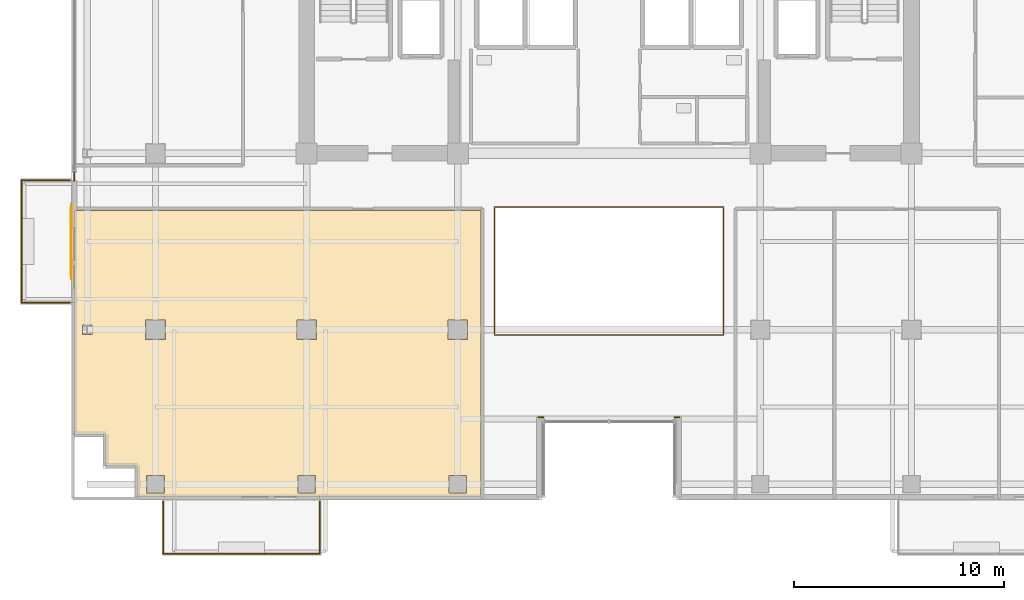
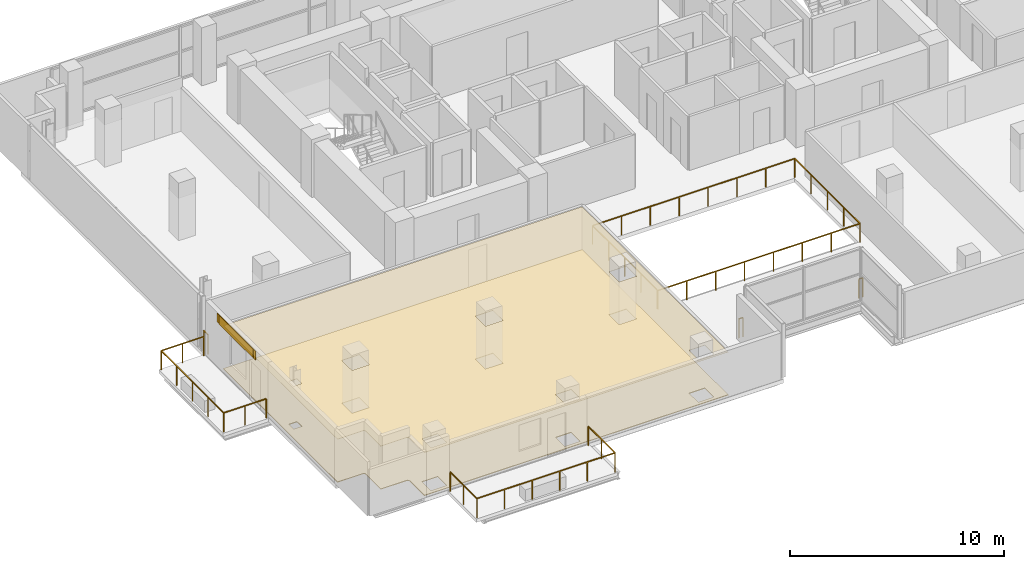
# One storey, part 19 of 23: 6 railings, 3 coverings, 1 shading device.
"""IFC4 building model written with IfcOpenShell, lengths in metres."""

from ifc_helpers import new_model, si_unit, direction, frame, origin, origin_2d, place, context, subcontext, project, spatial, polyline, rectangle, outline, extrude, source, transform, mapped, material, layer, layer_set, type_object, element, save


model = new_model("IFC4")

# Units and contexts
model_context = context("Model", 3, precision=1e-05, world=origin(), true_north=direction((0.0, 1.0)))
body_context = subcontext(model_context, "Body", "Model", "MODEL_VIEW")
ifc_project = project(units=[si_unit("LENGTHUNIT", "METRE"), si_unit("AREAUNIT", "SQUARE_METRE"), si_unit("VOLUMEUNIT", "CUBIC_METRE"), si_unit("PLANEANGLEUNIT", "RADIAN"), si_unit("MASSUNIT", "GRAM", prefix="KILO")], contexts=[model_context])

# Site, building, storey
site_placement = place(None, origin())
site = spatial("IfcSite", under=ifc_project, at=site_placement, CompositionType="ELEMENT")
building_placement = place(site_placement, origin())
building = spatial("IfcBuilding", under=site, at=building_placement, Name="Zarnakvel Exchange Tower", CompositionType="ELEMENT")
storey_placement = place(building_placement, frame((0.0, 0.0, 129.699951171875)))
storey = spatial("IfcBuildingStorey", under=building, at=storey_placement, Name="L36", CompositionType="ELEMENT", Elevation=129.699951171875)

# Coverings
ifc_material_1 = material(Name="Perforated Bronze Acoustic Metal Ceiling", Category="aluminium")
ifc_layer_1 = layer(ifc_material_1, 0.02001953125)
ifc_layer_set_1 = layer_set([ifc_layer_1], Name="Perforated Bronze Acoustic Metal Ceiling")
covering_type_1 = type_object("IfcCoveringType", Name="CLG-01", PredefinedType="CEILING", material=ifc_layer_set_1)
covering_1_placement = place(storey_placement, frame((0.0, 0.0, 2.455078125)))
element("IfcCovering", 1, at=covering_1_placement, inside=storey, type_object=covering_type_1, Name="L36 Suspended Acoustic Ceiling (Equities Trading Floor)", PredefinedType="CEILING", context=body_context, shape_type="SweptSolid", body=[
    extrude(outline(polyline([(-6.10009765625, -3.909912109375), (-6.10009765625, -17.550048828125), (-22.47998046875, -17.550048828125), (-22.47998046875, -16.199951171875), (-22.48046875, -16.188232421875), (-22.482421875, -16.176513671875), (-22.485107421875, -16.165283203125), (-22.489013671875, -16.154052734375), (-22.494140625, -16.143310546875), (-22.500244140625, -16.13330078125), (-22.50732421875, -16.123779296875), (-22.51513671875, -16.115234375), (-22.52392578125, -16.107177734375), (-22.533447265625, -16.100341796875), (-22.54345703125, -16.09423828125), (-22.55419921875, -16.089111328125), (-22.565185546875, -16.085205078125), (-22.57666015625, -16.082275390625), (-22.588134765625, -16.08056640625), (-22.60009765625, -16.080078125), (-23.97998046875, -16.080078125), (-23.97998046875, -14.699951171875), (-23.98046875, -14.688232421875), (-23.982421875, -14.676513671875), (-23.985107421875, -14.665283203125), (-23.989013671875, -14.654052734375), (-23.994140625, -14.643310546875), (-24.000244140625, -14.63330078125), (-24.00732421875, -14.623779296875), (-24.01513671875, -14.615234375), (-24.02392578125, -14.607177734375), (-24.033447265625, -14.600341796875), (-24.04345703125, -14.59423828125), (-24.05419921875, -14.589111328125), (-24.065185546875, -14.585205078125), (-24.07666015625, -14.582275390625), (-24.088134765625, -14.58056640625), (-24.10009765625, -14.580078125), (-25.449951171875, -14.580078125), (-25.449951171875, -3.909912109375), (-6.10009765625, -3.909912109375)]), holes=[polyline([(-7.669921875, -10.070068359375), (-6.72998046875, -10.070068359375), (-6.72998046875, -9.1298828125), (-7.669921875, -9.1298828125), (-7.669921875, -10.070068359375)]), polyline([(-6.780029296875, -17.3701171875), (-6.780029296875, -16.530029296875), (-7.6201171875, -16.530029296875), (-7.6201171875, -17.3701171875), (-6.780029296875, -17.3701171875)]), polyline([(-13.929931640625, -10.070068359375), (-13.929931640625, -9.1298828125), (-14.8701171875, -9.1298828125), (-14.8701171875, -10.070068359375), (-13.929931640625, -10.070068359375)]), polyline([(-13.97998046875, -17.3701171875), (-13.97998046875, -16.530029296875), (-14.820068359375, -16.530029296875), (-14.820068359375, -17.3701171875), (-13.97998046875, -17.3701171875)]), polyline([(-21.1298828125, -10.070068359375), (-21.1298828125, -9.1298828125), (-22.070068359375, -9.1298828125), (-22.070068359375, -10.070068359375), (-21.1298828125, -10.070068359375)]), polyline([(-21.179931640625, -17.3701171875), (-21.179931640625, -16.530029296875), (-22.02001953125, -16.530029296875), (-22.02001953125, -17.3701171875), (-21.179931640625, -17.3701171875)]), polyline([(-25.072021484375, -9.823486328125), (-24.6279296875, -9.823486328125), (-24.6279296875, -9.37646484375), (-25.072021484375, -9.37646484375), (-25.072021484375, -9.823486328125)])]), origin(), (0.0, 0.0, 1.0), 0.02001953125),
])
ifc_material_2 = material(Name="Heavy-Duty Raised Access Floor Panel", Category="steel")
ifc_layer_2 = layer(ifc_material_2, 0.034912109375)
ifc_layer_set_2 = layer_set([ifc_layer_2], Name="Heavy-Duty Raised Access Floor Panel")
covering_type_2 = type_object("IfcCoveringType", Name="FLR-02", PredefinedType="FLOORING", material=ifc_layer_set_2)
covering_2_placement = place(storey_placement, origin())
element("IfcCovering", 2, at=covering_2_placement, inside=storey, type_object=covering_type_2, Name="L36 Floor Finish (Equities Trading Floor)", PredefinedType="FLOORING", context=body_context, shape_type="SweptSolid", body=[
    extrude(outline(polyline([(-6.10009765625, -3.909912109375), (-6.10009765625, -17.550048828125), (-22.47998046875, -17.550048828125), (-22.47998046875, -16.199951171875), (-22.48046875, -16.188232421875), (-22.482421875, -16.176513671875), (-22.485107421875, -16.165283203125), (-22.489013671875, -16.154052734375), (-22.494140625, -16.143310546875), (-22.500244140625, -16.13330078125), (-22.50732421875, -16.123779296875), (-22.51513671875, -16.115234375), (-22.52392578125, -16.107177734375), (-22.533447265625, -16.100341796875), (-22.54345703125, -16.09423828125), (-22.55419921875, -16.089111328125), (-22.565185546875, -16.085205078125), (-22.57666015625, -16.082275390625), (-22.588134765625, -16.08056640625), (-22.60009765625, -16.080078125), (-23.97998046875, -16.080078125), (-23.97998046875, -14.699951171875), (-23.98046875, -14.688232421875), (-23.982421875, -14.676513671875), (-23.985107421875, -14.665283203125), (-23.989013671875, -14.654052734375), (-23.994140625, -14.643310546875), (-24.000244140625, -14.63330078125), (-24.00732421875, -14.623779296875), (-24.01513671875, -14.615234375), (-24.02392578125, -14.607177734375), (-24.033447265625, -14.600341796875), (-24.04345703125, -14.59423828125), (-24.05419921875, -14.589111328125), (-24.065185546875, -14.585205078125), (-24.07666015625, -14.582275390625), (-24.088134765625, -14.58056640625), (-24.10009765625, -14.580078125), (-25.449951171875, -14.580078125), (-25.449951171875, -3.909912109375), (-6.10009765625, -3.909912109375)]), holes=[polyline([(-7.669921875, -10.070068359375), (-6.72998046875, -10.070068359375), (-6.72998046875, -9.1298828125), (-7.669921875, -9.1298828125), (-7.669921875, -10.070068359375)]), polyline([(-6.780029296875, -17.3701171875), (-6.780029296875, -16.530029296875), (-7.6201171875, -16.530029296875), (-7.6201171875, -17.3701171875), (-6.780029296875, -17.3701171875)]), polyline([(-13.929931640625, -10.070068359375), (-13.929931640625, -9.1298828125), (-14.8701171875, -9.1298828125), (-14.8701171875, -10.070068359375), (-13.929931640625, -10.070068359375)]), polyline([(-13.97998046875, -17.3701171875), (-13.97998046875, -16.530029296875), (-14.820068359375, -16.530029296875), (-14.820068359375, -17.3701171875), (-13.97998046875, -17.3701171875)]), polyline([(-21.1298828125, -10.070068359375), (-21.1298828125, -9.1298828125), (-22.070068359375, -9.1298828125), (-22.070068359375, -10.070068359375), (-21.1298828125, -10.070068359375)]), polyline([(-21.179931640625, -17.3701171875), (-21.179931640625, -16.530029296875), (-22.02001953125, -16.530029296875), (-22.02001953125, -17.3701171875), (-21.179931640625, -17.3701171875)]), polyline([(-25.072021484375, -9.823486328125), (-24.6279296875, -9.823486328125), (-24.6279296875, -9.37646484375), (-25.072021484375, -9.37646484375), (-25.072021484375, -9.823486328125)])]), origin(), (0.0, 0.0, 1.0), 0.03515625),
])

# Railings
ifc_material_3 = material(Name="Architectural Bronze Anodised Aluminium", Category="aluminium")
railing_type_1 = type_object("IfcRailingType", Name="GR-02", PredefinedType="GUARDRAIL", material=ifc_material_3)
railing_1_placement = place(storey_placement, frame((-21.219970703125, -17.780029296875, -0.034912109375)))
element("IfcRailing", 3, at=railing_1_placement, inside=storey, type_object=railing_type_1, Name="L36 Balcony Guardrail BAL-L36-SW", PredefinedType="GUARDRAIL", context=body_context, shape_type="SweptSolid", body=[
    extrude(rectangle(XDim=0.048095703125, YDim=0.048095703125, at=origin_2d()), frame((0.0, 0.0, 1.09619140625), z_axis=(0.0, -1.0, 0.0), x_axis=(1.0, 0.0, 0.0)), (0.0, 0.0, 1.0), 2.489990234375),
    extrude(rectangle(XDim=0.048095703125, YDim=0.048095703125, at=origin_2d()), frame((0.0, -2.489990234375, 1.09619140625), z_axis=(1.0, 0.0, 0.0), x_axis=(0.0, 1.0, 0.0)), (0.0, 0.0, 1.0), 7.43994140625),
    extrude(rectangle(XDim=0.048095703125, YDim=0.048095703125, at=origin_2d()), frame((7.43994140625, -2.489990234375, 1.09619140625), z_axis=(0.0, 1.0, 0.0), x_axis=(-1.0, 0.0, 0.0)), (0.0, 0.0, 1.0), 2.489990234375),
    extrude(rectangle(XDim=0.0419921875, YDim=0.0419921875, at=origin_2d()), origin(), (0.0, 0.0, 1.0), 1.072021484375),
    extrude(rectangle(XDim=0.0419921875, YDim=0.0419921875, at=origin_2d()), frame((0.0, -1.2451171875, 0.0)), (0.0, 0.0, 1.0), 1.072021484375),
    extrude(rectangle(XDim=0.0419921875, YDim=0.0419921875, at=origin_2d()), frame((0.0, -2.489990234375, 0.0)), (0.0, 0.0, 1.0), 1.072021484375),
    extrude(rectangle(XDim=0.0419921875, YDim=0.0419921875, at=origin_2d()), frame((1.488037109375, -2.489990234375, 0.0)), (0.0, 0.0, 1.0), 1.072021484375),
    extrude(rectangle(XDim=0.0419921875, YDim=0.0419921875, at=origin_2d()), frame((2.97607421875, -2.489990234375, 0.0)), (0.0, 0.0, 1.0), 1.072021484375),
    extrude(rectangle(XDim=0.0419921875, YDim=0.0419921875, at=origin_2d()), frame((4.4638671875, -2.489990234375, 0.0)), (0.0, 0.0, 1.0), 1.072021484375),
    extrude(rectangle(XDim=0.0419921875, YDim=0.0419921875, at=origin_2d()), frame((5.951904296875, -2.489990234375, 0.0)), (0.0, 0.0, 1.0), 1.072021484375),
    extrude(rectangle(XDim=0.0419921875, YDim=0.0419921875, at=origin_2d()), frame((7.43994140625, -2.489990234375, 0.0)), (0.0, 0.0, 1.0), 1.072021484375),
    extrude(rectangle(XDim=0.0419921875, YDim=0.0419921875, at=origin_2d()), frame((7.43994140625, -1.2451171875, 0.0)), (0.0, 0.0, 1.0), 1.072021484375),
    extrude(rectangle(XDim=0.0419921875, YDim=0.0419921875, at=origin_2d()), frame((7.43994140625, 0.0, 0.0)), (0.0, 0.0, 1.0), 1.072021484375),
])
railing_2_placement = place(storey_placement, frame((-25.679931640625, -8.320068359375, -0.034912109375)))
element("IfcRailing", 4, at=railing_2_placement, inside=storey, type_object=railing_type_1, Name="L36 Balcony Guardrail BAL-L36-W", PredefinedType="GUARDRAIL", context=body_context, shape_type="SweptSolid", body=[
    extrude(rectangle(XDim=0.048095703125, YDim=0.048095703125, at=origin_2d()), frame((0.0, 0.0, 1.09619140625), z_axis=(-1.0, 0.0, 0.0), x_axis=(0.0, -1.0, 0.0)), (0.0, 0.0, 1.0), 2.2900390625),
    extrude(rectangle(XDim=0.048095703125, YDim=0.048095703125, at=origin_2d()), frame((-2.2900390625, 0.0, 1.09619140625), z_axis=(0.0, 1.0, 0.0), x_axis=(-1.0, 0.0, 0.0)), (0.0, 0.0, 1.0), 5.840087890625),
    extrude(rectangle(XDim=0.048095703125, YDim=0.048095703125, at=origin_2d()), frame((-2.2900390625, 5.840087890625, 1.09619140625), z_axis=(1.0, 0.0, 0.0), x_axis=(0.0, 1.0, 0.0)), (0.0, 0.0, 1.0), 2.2900390625),
    extrude(rectangle(XDim=0.0419921875, YDim=0.0419921875, at=origin_2d()), origin(), (0.0, 0.0, 1.0), 1.072021484375),
    extrude(rectangle(XDim=0.0419921875, YDim=0.0419921875, at=origin_2d()), frame((-1.14501953125, 0.0, 0.0)), (0.0, 0.0, 1.0), 1.072021484375),
    extrude(rectangle(XDim=0.0419921875, YDim=0.0419921875, at=origin_2d()), frame((-2.2900390625, 0.0, 0.0)), (0.0, 0.0, 1.0), 1.072021484375),
    extrude(rectangle(XDim=0.0419921875, YDim=0.0419921875, at=origin_2d()), frame((-2.2900390625, 1.4599609375, 0.0)), (0.0, 0.0, 1.0), 1.072021484375),
    extrude(rectangle(XDim=0.0419921875, YDim=0.0419921875, at=origin_2d()), frame((-2.2900390625, 2.919921875, 0.0)), (0.0, 0.0, 1.0), 1.072021484375),
    extrude(rectangle(XDim=0.0419921875, YDim=0.0419921875, at=origin_2d()), frame((-2.2900390625, 4.380126953125, 0.0)), (0.0, 0.0, 1.0), 1.072021484375),
    extrude(rectangle(XDim=0.0419921875, YDim=0.0419921875, at=origin_2d()), frame((-2.2900390625, 5.840087890625, 0.0)), (0.0, 0.0, 1.0), 1.072021484375),
    extrude(rectangle(XDim=0.0419921875, YDim=0.0419921875, at=origin_2d()), frame((-1.14501953125, 5.840087890625, 0.0)), (0.0, 0.0, 1.0), 1.072021484375),
    extrude(rectangle(XDim=0.0419921875, YDim=0.0419921875, at=origin_2d()), frame((0.0, 5.840087890625, 0.0)), (0.0, 0.0, 1.0), 1.072021484375),
])
railing_3_placement = place(storey_placement, frame((-25.4599609375, -2.5, 0.0)))
element("IfcRailing", 5, at=railing_3_placement, inside=storey, type_object=railing_type_1, Name="L36 Corner Spandrel Balustrade #2", PredefinedType="GUARDRAIL", context=body_context, shape_type="SweptSolid", body=[
    extrude(rectangle(XDim=0.048095703125, YDim=0.048095703125, at=origin_2d()), frame((0.0, 0.0, 1.09619140625), z_axis=(0.0, 1.0, 0.0), x_axis=(-1.0, 0.0, 0.0)), (0.0, 0.0, 1.0), 0.39990234375),
    extrude(rectangle(XDim=0.0419921875, YDim=0.0419921875, at=origin_2d()), origin(), (0.0, 0.0, 1.0), 1.072021484375),
    extrude(rectangle(XDim=0.0419921875, YDim=0.0419921875, at=origin_2d()), frame((0.0, 0.39990234375, 0.0)), (0.0, 0.0, 1.0), 1.072021484375),
])
for number, where, name in (
    (6, (3.340087890625, -13.760009765625, 0.0), "L36 Corner Spandrel Balustrade #18"),
    (7, (-3.1201171875, -13.760009765625, 0.0), "L36 Corner Spandrel Balustrade #19"),
):
    element("IfcRailing", number, at=place(storey_placement, frame(where)), inside=storey, type_object=railing_type_1, Name=name, PredefinedType="GUARDRAIL", context=body_context, shape_type="SweptSolid", body=[
        extrude(rectangle(XDim=0.048095703125, YDim=0.048095703125, at=origin_2d()), frame((0.0, 0.0, 1.09619140625), z_axis=(-1.0, 0.0, 0.0), x_axis=(0.0, -1.0, 0.0)), (0.0, 0.0, 1.0), 0.219970703125),
        extrude(rectangle(XDim=0.0419921875, YDim=0.0419921875, at=origin_2d()), origin(), (0.0, 0.0, 1.0), 1.072021484375),
        extrude(rectangle(XDim=0.0419921875, YDim=0.0419921875, at=origin_2d()), frame((-0.219970703125, 0.0, 0.0)), (0.0, 0.0, 1.0), 1.072021484375),
    ])
railing_type_2 = type_object("IfcRailingType", Name="GR-03", PredefinedType="GUARDRAIL", material=ifc_material_3)
railing_4_placement = place(storey_placement, frame((-5.449951171875, -9.85009765625, 0.0)))
element("IfcRailing", 8, at=railing_4_placement, inside=storey, type_object=railing_type_2, Name="L36 Atrium Void Perimeter Balustrade", PredefinedType="GUARDRAIL", context=body_context, shape_type="SweptSolid", body=[
    extrude(rectangle(XDim=0.048095703125, YDim=0.048095703125, at=origin_2d()), frame((0.0, 0.0, 1.076171875), z_axis=(1.0, 0.0, 0.0), x_axis=(0.0, 1.0, 0.0)), (0.0, 0.0, 1.0), 10.89990234375),
    extrude(rectangle(XDim=0.048095703125, YDim=0.048095703125, at=origin_2d()), frame((10.89990234375, 0.0, 1.076171875), z_axis=(0.0, 1.0, 0.0), x_axis=(-1.0, 0.0, 0.0)), (0.0, 0.0, 1.0), 6.10009765625),
    extrude(rectangle(XDim=0.048095703125, YDim=0.048095703125, at=origin_2d()), frame((10.89990234375, 6.10009765625, 1.076171875), z_axis=(-1.0, 0.0, 0.0), x_axis=(0.0, -1.0, 0.0)), (0.0, 0.0, 1.0), 10.89990234375),
    extrude(rectangle(XDim=0.048095703125, YDim=0.048095703125, at=origin_2d()), frame((0.0, 6.10009765625, 1.076171875), z_axis=(0.0, -1.0, 0.0), x_axis=(1.0, 0.0, 0.0)), (0.0, 0.0, 1.0), 6.02001953125),
    extrude(rectangle(XDim=0.0419921875, YDim=0.0419921875, at=origin_2d()), origin(), (0.0, 0.0, 1.0), 1.052001953125),
    extrude(rectangle(XDim=0.0419921875, YDim=0.0419921875, at=origin_2d()), frame((1.55712890625, 0.0, 0.0)), (0.0, 0.0, 1.0), 1.052001953125),
    extrude(rectangle(XDim=0.0419921875, YDim=0.0419921875, at=origin_2d()), frame((3.1142578125, 0.0, 0.0)), (0.0, 0.0, 1.0), 1.052001953125),
    extrude(rectangle(XDim=0.0419921875, YDim=0.0419921875, at=origin_2d()), frame((4.67138671875, 0.0, 0.0)), (0.0, 0.0, 1.0), 1.052001953125),
    extrude(rectangle(XDim=0.0419921875, YDim=0.0419921875, at=origin_2d()), frame((6.228515625, 0.0, 0.0)), (0.0, 0.0, 1.0), 1.052001953125),
    extrude(rectangle(XDim=0.0419921875, YDim=0.0419921875, at=origin_2d()), frame((7.78564453125, 0.0, 0.0)), (0.0, 0.0, 1.0), 1.052001953125),
    extrude(rectangle(XDim=0.0419921875, YDim=0.0419921875, at=origin_2d()), frame((9.3427734375, 0.0, 0.0)), (0.0, 0.0, 1.0), 1.052001953125),
    extrude(rectangle(XDim=0.0419921875, YDim=0.0419921875, at=origin_2d()), frame((10.89990234375, 0.0, 0.0)), (0.0, 0.0, 1.0), 1.052001953125),
    extrude(rectangle(XDim=0.0419921875, YDim=0.0419921875, at=origin_2d()), frame((10.89990234375, 1.52490234375, 0.0)), (0.0, 0.0, 1.0), 1.052001953125),
    extrude(rectangle(XDim=0.0419921875, YDim=0.0419921875, at=origin_2d()), frame((10.89990234375, 3.050048828125, 0.0)), (0.0, 0.0, 1.0), 1.052001953125),
    extrude(rectangle(XDim=0.0419921875, YDim=0.0419921875, at=origin_2d()), frame((10.89990234375, 4.5751953125, 0.0)), (0.0, 0.0, 1.0), 1.052001953125),
    extrude(rectangle(XDim=0.0419921875, YDim=0.0419921875, at=origin_2d()), frame((10.89990234375, 6.10009765625, 0.0)), (0.0, 0.0, 1.0), 1.052001953125),
    extrude(rectangle(XDim=0.0419921875, YDim=0.0419921875, at=origin_2d()), frame((9.3427734375, 6.10009765625, 0.0)), (0.0, 0.0, 1.0), 1.052001953125),
    extrude(rectangle(XDim=0.0419921875, YDim=0.0419921875, at=origin_2d()), frame((7.78564453125, 6.10009765625, 0.0)), (0.0, 0.0, 1.0), 1.052001953125),
    extrude(rectangle(XDim=0.0419921875, YDim=0.0419921875, at=origin_2d()), frame((6.228515625, 6.10009765625, 0.0)), (0.0, 0.0, 1.0), 1.052001953125),
    extrude(rectangle(XDim=0.0419921875, YDim=0.0419921875, at=origin_2d()), frame((4.67138671875, 6.10009765625, 0.0)), (0.0, 0.0, 1.0), 1.052001953125),
    extrude(rectangle(XDim=0.0419921875, YDim=0.0419921875, at=origin_2d()), frame((3.1142578125, 6.10009765625, 0.0)), (0.0, 0.0, 1.0), 1.052001953125),
    extrude(rectangle(XDim=0.0419921875, YDim=0.0419921875, at=origin_2d()), frame((1.55712890625, 6.10009765625, 0.0)), (0.0, 0.0, 1.0), 1.052001953125),
    extrude(rectangle(XDim=0.0419921875, YDim=0.0419921875, at=origin_2d()), frame((0.0, 6.10009765625, 0.0)), (0.0, 0.0, 1.0), 1.052001953125),
    extrude(rectangle(XDim=0.0419921875, YDim=0.0419921875, at=origin_2d()), frame((0.0, 4.59521484375, 0.0)), (0.0, 0.0, 1.0), 1.052001953125),
    extrude(rectangle(XDim=0.0419921875, YDim=0.0419921875, at=origin_2d()), frame((0.0, 3.090087890625, 0.0)), (0.0, 0.0, 1.0), 1.052001953125),
    extrude(rectangle(XDim=0.0419921875, YDim=0.0419921875, at=origin_2d()), frame((0.0, 1.5849609375, 0.0)), (0.0, 0.0, 1.0), 1.052001953125),
    extrude(rectangle(XDim=0.0419921875, YDim=0.0419921875, at=origin_2d()), frame((0.0, 0.080078125, 0.0)), (0.0, 0.0, 1.0), 1.052001953125),
])

# Shading device
ifc_material_4 = material(Name="Perforated Architectural Bronze Screen", Category="aluminium")
ifc_layer_3 = layer(ifc_material_4, 0.044921875)
ifc_layer_set_3 = layer_set([ifc_layer_3], Name="Perforated Architectural Bronze Screen")
shading_device_type = type_object("IfcShadingDeviceType", Name="SS-01", PredefinedType="JALOUSIE", material=ifc_layer_set_3)
shared_shape_1 = source(origin(), body_context, "Body", "SweptSolid", [
    extrude(rectangle(XDim=3.199951171875, YDim=0.044921875, at=origin_2d()), origin(), (0.0, 0.0, 1.0), 0.4951171875),
])
shading_device_placement = place(storey_placement, frame((-25.6005859375, -5.39990234375, 2.56005859375), z_axis=(0.0, 0.0, 1.0), x_axis=(0.0, 1.0, 0.0)))
element("IfcShadingDevice", 9, at=shading_device_placement, inside=storey, type_object=shading_device_type, Name="L36 Bronze Solar Shading Screen SS-01", PredefinedType="JALOUSIE", context=body_context, shape_type="MappedRepresentation", body=[
    mapped(shared_shape_1, transform((0.0, 0.0, 0.0), x_axis=(1.0, 0.0, 0.0), y_axis=(0.0, 1.0, 0.0), z_axis=(0.0, 0.0, 1.0), scale=1.0)),
])

# Covering
ifc_material_5 = material(Name="Glazed Turquoise Ceramic Architectural Tile", Category="ceramic")
ifc_layer_4 = layer(ifc_material_5, 0.028076171875)
ifc_layer_set_4 = layer_set([ifc_layer_4], Name="Glazed Turquoise Ceramic Architectural Tile")
covering_type_3 = type_object("IfcCoveringType", Name="CL-01", PredefinedType="CLADDING", material=ifc_layer_set_4)
shared_shape_2 = source(origin(), body_context, "Body", "SweptSolid", [
    extrude(rectangle(XDim=3.60009765625, YDim=0.028076171875, at=origin_2d()), origin(), (0.0, 0.0, 1.0), 0.4951171875),
])
covering_3_placement = place(storey_placement, frame((-25.592041015625, -5.39990234375, 2.56005859375), z_axis=(0.0, 0.0, 1.0), x_axis=(0.0, 1.0, 0.0)))
element("IfcCovering", 10, at=covering_3_placement, inside=storey, type_object=covering_type_3, Name="L36 Ceramic Spandrel Tilework CL-01", PredefinedType="CLADDING", context=body_context, shape_type="MappedRepresentation", body=[
    mapped(shared_shape_2, transform((0.0, 0.0, 0.0), x_axis=(1.0, 0.0, 0.0), y_axis=(0.0, 1.0, 0.0), z_axis=(0.0, 0.0, 1.0), scale=1.0)),
])

save(model, "model.ifc")
